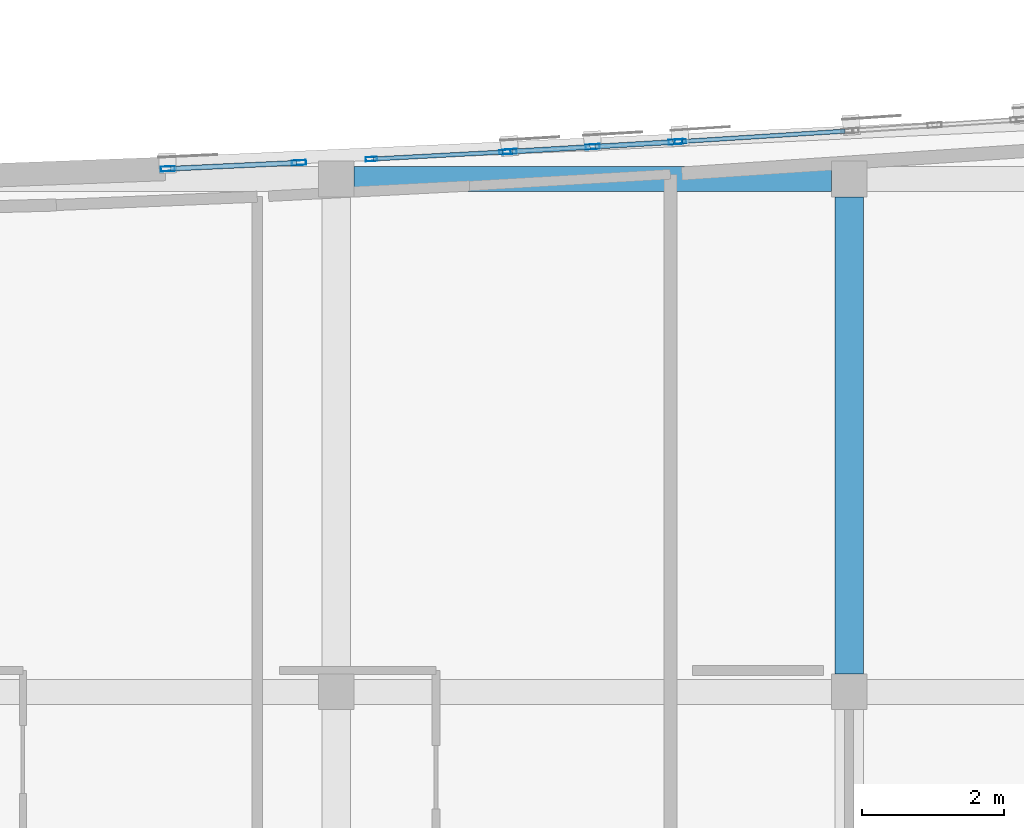
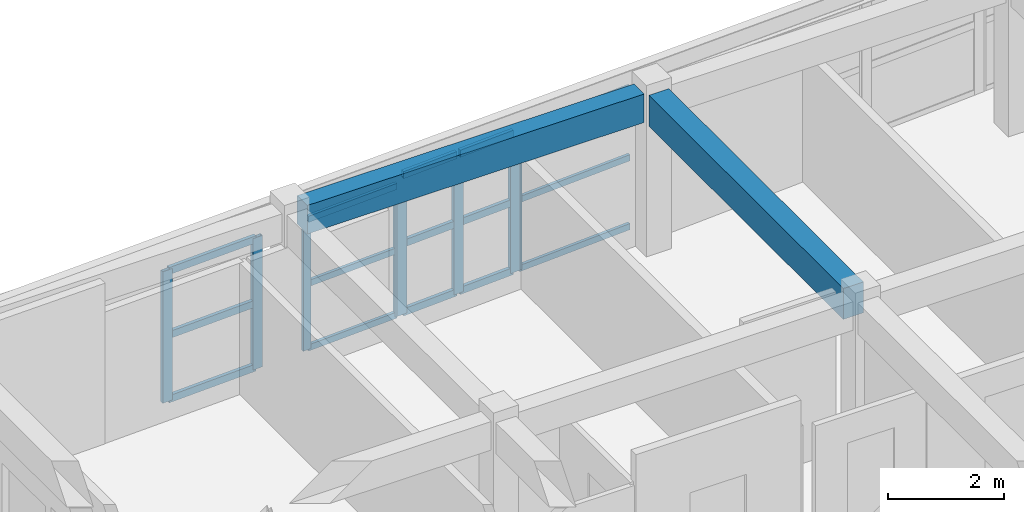
# One storey, part 5 of 34: 23 members, 2 beams, 4 elements without a shape of their own.
"""IFC4 building model written with IfcOpenShell, lengths in metres."""

import ifcopenshell
import ifcopenshell.guid

model = None  # the IFC model being written
_history = None  # IfcOwnerHistory: only IFC2X3 demands one
_inside = {}  # id of a spatial element -> (the spatial element, [elements in it])
_under = {}  # id of a project, library or spatial element -> (it, [spatial elements below it])
_declared = {}  # id of a project -> (the project, [libraries it declares])
_typed = {}  # id of a type object -> (the type object, [elements of that type])
_made_of = {}  # id of a material, layer set ... -> (it, [elements and type objects made of it])


def new_model(schema):
    """Start an empty IFC model of exactly this schema.

    Asked for "IFC4X3", IfcOpenShell would pick the latest addendum, in which some entities
    have other attributes; the version numbers below select the first issue.
    IFC2X3 requires an IfcOwnerHistory on every rooted entity: one is made here for all.
    """
    global model, _history
    if schema == "IFC4X3":
        model = ifcopenshell.file(schema_version=(4, 3, 0, 0))
    else:
        model = ifcopenshell.file(schema=schema)
    _inside.clear()
    _under.clear()
    _declared.clear()
    _typed.clear()
    _made_of.clear()
    _history = None
    if model.schema == "IFC2X3":
        org = make("IfcOrganization", Name="unknown")
        user = make(
            "IfcPersonAndOrganization",
            ThePerson=make("IfcPerson", FamilyName="unknown"),
            TheOrganization=org,
        )
        app = make(
            "IfcApplication",
            ApplicationDeveloper=org,
            Version="unknown",
            ApplicationFullName="unknown",
            ApplicationIdentifier="unknown",
        )
        _history = make(
            "IfcOwnerHistory",
            OwningUser=user,
            OwningApplication=app,
            ChangeAction="ADDED",
            CreationDate=0,
        )
    return model


def make(cls, **values):
    """One entity of the class cls with the attributes given. An attribute that is None is left unset."""
    return model.create_entity(
        cls, **{name: value for name, value in values.items() if value is not None}
    )


def rooted(cls, **values):
    """An entity with a GlobalId (a new one), such as an element, a storey or a relation."""
    return make(cls, GlobalId=ifcopenshell.guid.new(), OwnerHistory=_history, **values)


def si_unit(unit_type, name, prefix=None):
    """IfcSIUnit, for example si_unit("LENGTHUNIT", "METRE", prefix="MILLI")."""
    return make("IfcSIUnit", UnitType=unit_type, Prefix=prefix, Name=name)


def assignment(units):
    """IfcUnitAssignment: the units of a project."""
    return None if units is None else make("IfcUnitAssignment", Units=units)


def point(xyz):
    """IfcCartesianPoint."""
    return None if xyz is None else make("IfcCartesianPoint", Coordinates=xyz)


def direction(xyz):
    """IfcDirection."""
    return None if xyz is None else make("IfcDirection", DirectionRatios=xyz)


def frame(location, z_axis=None, x_axis=None):
    """IfcAxis2Placement3D, a coordinate frame: its origin and axes. An axis left out is left unset."""
    return make(
        "IfcAxis2Placement3D",
        Location=point(location),
        Axis=direction(z_axis),
        RefDirection=direction(x_axis),
    )


def frame_2d(location, x_axis=None):
    """IfcAxis2Placement2D, a coordinate frame in the plane: its origin and x axis."""
    return make(
        "IfcAxis2Placement2D", Location=point(location), RefDirection=direction(x_axis)
    )


def origin():
    """The frame at (0, 0, 0) with its axes left unset."""
    return frame((0.0, 0.0, 0.0))


def origin_2d():
    """The frame at (0, 0) in the plane with its x axis left unset."""
    return frame_2d((0.0, 0.0))


def place(relative_to, where):
    """IfcLocalPlacement: puts the frame where relative to a parent placement (None: the world)."""
    return make(
        "IfcLocalPlacement", PlacementRelTo=relative_to, RelativePlacement=where
    )


def context(
    kind, dimensions, precision=None, world=None, true_north=None, identifier=None
):
    """IfcGeometricRepresentationContext, for example the 3D "Model" context."""
    return make(
        "IfcGeometricRepresentationContext",
        ContextIdentifier=identifier,
        ContextType=kind,
        CoordinateSpaceDimension=dimensions,
        Precision=precision,
        WorldCoordinateSystem=world,
        TrueNorth=true_north,
    )


def subcontext(parent, identifier, kind, view, scale=None):
    """IfcGeometricRepresentationSubContext, for example "Body" below "Model"."""
    return make(
        "IfcGeometricRepresentationSubContext",
        ContextIdentifier=identifier,
        ContextType=kind,
        ParentContext=parent,
        TargetScale=scale,
        TargetView=view,
    )


def project(units=None, contexts=None):
    """IfcProject with its units and contexts."""
    return rooted(
        "IfcProject",
        Name="project",
        RepresentationContexts=contexts,
        UnitsInContext=assignment(units),
    )


def spatial(cls, under=None, at=None, **own):
    """A site, building, storey or space (cls), placed at a placement, below another one or the project."""
    s = rooted(cls, ObjectPlacement=at, **own)
    if under is not None:
        _under.setdefault(under.id(), (under, []))[1].append(s)
    return s


def profile(cls, at=None, kind="AREA", **sizes):
    """A parametric profile (cls). Its sizes go by their IFC names, for example OverallWidth=200.0."""
    return make(cls, ProfileType=kind, Position=at, **sizes)


def rectangle(**sizes):
    """IfcRectangleProfileDef."""
    return profile("IfcRectangleProfileDef", **sizes)


def hollow_rectangle(**sizes):
    """IfcRectangleHollowProfileDef."""
    return profile("IfcRectangleHollowProfileDef", **sizes)


def extrude(swept, where, along, depth):
    """IfcExtrudedAreaSolid: the profile swept, set in the frame where, extruded along a direction by depth."""
    return make(
        "IfcExtrudedAreaSolid",
        SweptArea=swept,
        Position=where,
        ExtrudedDirection=direction(along),
        Depth=depth,
    )


def shape(context_of_items, identifier, shape_type, items):
    """IfcShapeRepresentation: the items that make up one representation, for example the "Body"."""
    return make(
        "IfcShapeRepresentation",
        ContextOfItems=context_of_items,
        RepresentationIdentifier=identifier,
        RepresentationType=shape_type,
        Items=items,
    )


def material(Name=None, Category=None):
    """IfcMaterial."""
    return make("IfcMaterial", Name=Name, Category=Category)


def layer(
    of_material, thickness, ventilated=None, Name=None, Category=None, Priority=None
):
    """IfcMaterialLayer: one layer of a wall or slab, of a material (None: an air gap)."""
    return make(
        "IfcMaterialLayer",
        Material=of_material,
        LayerThickness=thickness,
        IsVentilated=ventilated,
        Name=Name,
        Category=Category,
        Priority=Priority,
    )


def layer_set(layers, Name=None):
    """IfcMaterialLayerSet."""
    return make("IfcMaterialLayerSet", MaterialLayers=layers, LayerSetName=Name)


def material_profile(
    of_material, cross_section, Name=None, Category=None, Priority=None
):
    """IfcMaterialProfile: a cross section and its material."""
    return make(
        "IfcMaterialProfile",
        Name=Name,
        Material=of_material,
        Profile=cross_section,
        Priority=Priority,
        Category=Category,
    )


def profile_set(profiles, Name=None, composite=None):
    """IfcMaterialProfileSet."""
    return make(
        "IfcMaterialProfileSet",
        Name=Name,
        MaterialProfiles=profiles,
        CompositeProfile=composite,
    )


def made_of(thing, what):
    """Note that an element or type object is made of a material, layer set ...; save() writes the relation."""
    if what is not None:
        _made_of.setdefault(what.id(), (what, []))[1].append(thing)
    return thing


def type_object(cls, material=None, **own):
    """A type object (cls), such as IfcWallType, which elements share."""
    return made_of(rooted(cls, **own), material)


def element(
    cls,
    number,
    at=None,
    inside=None,
    cuts=None,
    type_object=None,
    material=None,
    context=None,
    identifier="Body",
    shape_type=None,
    held_by="IfcProductDefinitionShape",
    body=None,
    shapes=None,
    **own,
):
    """One element of the class cls, such as IfcWall. Its Tag is "e" and its number.

    at: its placement. inside: the storey or other place that contains it. cuts: it is an
    opening in that element (IfcRelVoidsElement). A single representation is given by context,
    identifier, shape_type and body (its items); several are given by shapes. held_by: the class
    of the entity that holds the representations. save() writes the other relations.
    """
    e = rooted(cls, Tag="e%d" % number, ObjectPlacement=at, **own)
    if body is not None:
        shapes = [shape(context, identifier, shape_type, body)]
    if shapes is not None:
        e.Representation = make(held_by, Representations=shapes)
    if inside is not None:
        _inside.setdefault(inside.id(), (inside, []))[1].append(e)
    if cuts is not None:
        rooted(
            "IfcRelVoidsElement", RelatingBuildingElement=cuts, RelatedOpeningElement=e
        )
    if type_object is not None:
        _typed.setdefault(type_object.id(), (type_object, []))[1].append(e)
    return made_of(e, material)


def aggregate(whole, parts):
    """IfcRelAggregates: a whole, such as a stair, and the parts it consists of."""
    return rooted("IfcRelAggregates", RelatingObject=whole, RelatedObjects=parts)


def save(model, path):
    """Write the relations noted so far, then the file.

    IfcRelAggregates (storeys below a building ...), IfcRelContainedInSpatialStructure (elements
    in a storey), IfcRelDefinesByType, IfcRelAssociatesMaterial and IfcRelDeclares: one each for
    every whole, place, type object, material and project.
    """
    for whole, parts in _under.values():
        aggregate(whole, parts)
    for where, things in _inside.values():
        rooted(
            "IfcRelContainedInSpatialStructure",
            RelatedElements=things,
            RelatingStructure=where,
        )
    for kind, things in _typed.values():
        rooted("IfcRelDefinesByType", RelatedObjects=things, RelatingType=kind)
    for what, things in _made_of.values():
        rooted("IfcRelAssociatesMaterial", RelatedObjects=things, RelatingMaterial=what)
    for by, libraries in _declared.values():
        rooted("IfcRelDeclares", RelatingContext=by, RelatedDefinitions=libraries)
    model.write(path)


model = new_model("IFC4")

# Units and contexts
model_context = context("Model", 3, precision=1e-05, world=origin(), true_north=direction((0.0, 1.0)))
body_context = subcontext(model_context, "Body", "Model", "MODEL_VIEW")
ifc_project = project(units=[si_unit("LENGTHUNIT", "METRE"), si_unit("AREAUNIT", "SQUARE_METRE"), si_unit("VOLUMEUNIT", "CUBIC_METRE"), si_unit("PLANEANGLEUNIT", "RADIAN"), si_unit("MASSUNIT", "GRAM", prefix="KILO")], contexts=[model_context])

# Site, building, storey
site_placement = place(None, origin())
site = spatial("IfcSite", under=ifc_project, at=site_placement, CompositionType="ELEMENT")
building_placement = place(site_placement, origin())
building = spatial("IfcBuilding", under=site, at=building_placement, Name="Carrowvane Square Congress Hotel", CompositionType="ELEMENT")
storey_placement = place(building_placement, frame((0.0, 0.0, 40.800048828125)))
storey = spatial("IfcBuildingStorey", under=building, at=storey_placement, Name="L10", CompositionType="ELEMENT", Elevation=40.800048828125)

# Beams
ifc_material_1 = material(Name="Concrete C35/45", Category="concrete")
ifc_material_profile_1 = material_profile(ifc_material_1, rectangle(XDim=0.35009765625, YDim=0.60009765625, at=origin_2d()), Name="RC 350x600")
ifc_profile_set_1 = profile_set([ifc_material_profile_1], Name="Concrete C35/45")
beam_type_1 = type_object("IfcBeamType", Name="BM-RC-350x600", PredefinedType="BEAM", material=ifc_profile_set_1)
beam_1_placement = place(storey_placement, frame((40.64990234375, 113.39990234375, 3.079833984375), z_axis=(1.0, 0.0, 0.0), x_axis=(0.0, 1.0, 0.0)))
element("IfcBeam", 1, at=beam_1_placement, inside=storey, type_object=beam_type_1, Name="L11 girder R/5-6", PredefinedType="BEAM", context=body_context, shape_type="SweptSolid", body=[
    extrude(rectangle(XDim=0.35009765625, YDim=0.60009765625, at=origin_2d()), origin(), (0.0, 0.0, 1.0), 6.7001953125),
])
ifc_material_2 = material(Name="Concrete C35/45", Category="concrete")
ifc_material_profile_2 = material_profile(ifc_material_2, rectangle(XDim=0.39990234375, YDim=0.64990234375, at=origin_2d()), Name="RC 400x650")
ifc_profile_set_2 = profile_set([ifc_material_profile_2], Name="Concrete C35/45")
beam_type_2 = type_object("IfcBeamType", Name="BM-RC-400x650", PredefinedType="BEAM", material=ifc_profile_set_2)
beam_2_placement = place(storey_placement, frame((47.60009765625, 106.449951171875, 3.054931640625), z_axis=(0.0, 1.0, 0.0), x_axis=(-1.0, 0.0, 0.0)))
element("IfcBeam", 2, at=beam_2_placement, inside=storey, type_object=beam_type_2, Name="L11 girder 6/Q-R", PredefinedType="BEAM", context=body_context, shape_type="SweptSolid", body=[
    extrude(rectangle(XDim=0.39990234375, YDim=0.64990234375, at=origin_2d()), origin(), (0.0, 0.0, 1.0), 6.699951171875),
])

# Curtain wall, members
ifc_material_3 = material(Name="Anodised aluminium", Category="aluminium")
ifc_layer_1 = layer(ifc_material_3, 0.23388671875)
ifc_layer_set_1 = layer_set([ifc_layer_1], Name="Anodised aluminium")
curtain_wall_type_1 = type_object("IfcCurtainWallType", Name="CW-SYS-7", PredefinedType="NOTDEFINED", material=ifc_layer_set_1)
curtain_wall_1_placement = place(storey_placement, origin())
curtain_wall_1 = element("IfcCurtainWall", 3, at=curtain_wall_1_placement, inside=storey, type_object=curtain_wall_type_1, Name="L10 unitised curtain wall 550", PredefinedType="NOTDEFINED")
ifc_material_4 = material(Name="Anodised aluminium", Category="aluminium")
ifc_material_profile_3 = material_profile(ifc_material_4, hollow_rectangle(XDim=0.06005859375, YDim=0.159912109375, WallThickness=0.00390625, at=origin_2d()), Name="CW-ML 60x160x4")
ifc_profile_set_3 = profile_set([ifc_material_profile_3], Name="Anodised aluminium")
member_type_1 = type_object("IfcMemberType", Name="CW-MUL-1", PredefinedType="MULLION", material=ifc_profile_set_3)
member_1_placement = place(storey_placement, frame((40.893310546875, 113.67919921875, 0.0), z_axis=(0.0, 0.0, 1.0), x_axis=(-0.053513817306, 0.998567109091, 0.0)))
member_1 = element("IfcMember", 4, at=member_1_placement, type_object=member_type_1, Name="CW-7 mullion 1", PredefinedType="MULLION", context=body_context, shape_type="SweptSolid", body=[
    extrude(hollow_rectangle(XDim=0.06005859375, YDim=0.159912109375, WallThickness=0.00390625, at=origin_2d()), origin(), (0.0, 0.0, 1.0), 2.764892578125),
])
member_2_placement = place(storey_placement, frame((42.77001953125, 113.77978515625, 0.0), z_axis=(0.0, 0.0, 1.0), x_axis=(-0.053513817306, 0.998567109091, 0.0)))
member_2 = element("IfcMember", 5, at=member_2_placement, type_object=member_type_1, Name="CW-7 mullion 2", PredefinedType="MULLION", context=body_context, shape_type="SweptSolid", body=[
    extrude(hollow_rectangle(XDim=0.06005859375, YDim=0.159912109375, WallThickness=0.00390625, at=origin_2d()), origin(), (0.0, 0.0, 1.0), 2.764892578125),
])

# Curtain wall, member
ifc_material_5 = material(Name="Anodised aluminium", Category="aluminium")
ifc_layer_2 = layer(ifc_material_5, 0.162109375)
ifc_layer_set_2 = layer_set([ifc_layer_2], Name="Anodised aluminium")
curtain_wall_type_2 = type_object("IfcCurtainWallType", Name="CW-SYS-1", PredefinedType="NOTDEFINED", material=ifc_layer_set_2)
curtain_wall_2_placement = place(storey_placement, origin())
curtain_wall_2 = element("IfcCurtainWall", 6, at=curtain_wall_2_placement, inside=storey, type_object=curtain_wall_type_2, Name="L10 unitised curtain wall 552", PredefinedType="NOTDEFINED")
member_3_placement = place(storey_placement, frame((45.22998046875, 113.925048828125, 0.0), z_axis=(0.0, 0.0, 1.0), x_axis=(-0.063273487972, 0.997996225303, 0.0)))
member_3 = element("IfcMember", 7, at=member_3_placement, type_object=member_type_1, Name="CW-1 mullion 1", PredefinedType="MULLION", context=body_context, shape_type="SweptSolid", body=[
    extrude(hollow_rectangle(XDim=0.06005859375, YDim=0.159912109375, WallThickness=0.00390625, at=origin_2d()), origin(), (0.0, 0.0, 1.0), 2.95556640625),
])

# Curtain wall, members
ifc_material_6 = material(Name="Anodised aluminium", Category="aluminium")
ifc_layer_3 = layer(ifc_material_6, 0.221923828125)
ifc_layer_set_3 = layer_set([ifc_layer_3], Name="Anodised aluminium")
curtain_wall_type_3 = type_object("IfcCurtainWallType", Name="CW-SYS-6", PredefinedType="NOTDEFINED", material=ifc_layer_set_3)
curtain_wall_3_placement = place(storey_placement, origin())
curtain_wall_3 = element("IfcCurtainWall", 8, at=curtain_wall_3_placement, inside=storey, type_object=curtain_wall_type_3, Name="L10 unitised curtain wall 549", PredefinedType="NOTDEFINED")
ifc_material_7 = material(Name="Anodised aluminium", Category="aluminium")
ifc_material_profile_4 = material_profile(ifc_material_7, hollow_rectangle(XDim=0.070068359375, YDim=0.199951171875, WallThickness=0.0048828125, at=origin_2d()), Name="CW-ML 70x200x5")
ifc_profile_set_4 = profile_set([ifc_material_profile_4], Name="Anodised aluminium")
member_type_2 = type_object("IfcMemberType", Name="CW-MUL-2", PredefinedType="MULLION", material=ifc_profile_set_4)
member_4_placement = place(storey_placement, frame((38.034912109375, 113.54248046875, 0.0), z_axis=(0.0, 0.0, 1.0), x_axis=(-0.046522035775, 0.998917263935, 0.0)))
member_4 = element("IfcMember", 9, at=member_4_placement, type_object=member_type_2, Name="CW-6 mullion 1", PredefinedType="MULLION", context=body_context, shape_type="SweptSolid", body=[
    extrude(hollow_rectangle(XDim=0.070068359375, YDim=0.199951171875, WallThickness=0.0048828125, at=origin_2d()), origin(), (0.0, 0.0, 1.0), 2.764892578125),
])
member_5_placement = place(storey_placement, frame((39.87646484375, 113.62841796875, 0.0), z_axis=(0.0, 0.0, 1.0), x_axis=(-0.046522035775, 0.998917263935, 0.0)))
member_5 = element("IfcMember", 10, at=member_5_placement, type_object=member_type_2, Name="CW-6 mullion 2", PredefinedType="MULLION", context=body_context, shape_type="SweptSolid", body=[
    extrude(hollow_rectangle(XDim=0.070068359375, YDim=0.199951171875, WallThickness=0.0048828125, at=origin_2d()), origin(), (0.0, 0.0, 1.0), 2.764892578125),
])

ifc_material_8 = material(Name="Anodised aluminium", Category="aluminium")
ifc_layer_4 = layer(ifc_material_8, 0.24609375)
ifc_layer_set_4 = layer_set([ifc_layer_4], Name="Anodised aluminium")
curtain_wall_type_4 = type_object("IfcCurtainWallType", Name="CW-SYS-8", PredefinedType="NOTDEFINED", material=ifc_layer_set_4)
curtain_wall_4_placement = place(storey_placement, origin())
curtain_wall_4 = element("IfcCurtainWall", 11, at=curtain_wall_4_placement, inside=storey, type_object=curtain_wall_type_4, Name="L10 unitised curtain wall 551", PredefinedType="NOTDEFINED")
member_6_placement = place(storey_placement, frame((42.8349609375, 113.783447265625, 0.0), z_axis=(0.0, 0.0, 1.0), x_axis=(-0.058988522254, 0.99825866099, 0.0)))
member_6 = element("IfcMember", 12, at=member_6_placement, type_object=member_type_2, Name="CW-8 mullion 1", PredefinedType="MULLION", context=body_context, shape_type="SweptSolid", body=[
    extrude(hollow_rectangle(XDim=0.070068359375, YDim=0.199951171875, WallThickness=0.0048828125, at=origin_2d()), origin(), (0.0, 0.0, 1.0), 2.95556640625),
])
member_7_placement = place(storey_placement, frame((44.0, 113.852294921875, 0.0), z_axis=(0.0, 0.0, 1.0), x_axis=(-0.058988522254, 0.99825866099, 0.0)))
member_7 = element("IfcMember", 13, at=member_7_placement, type_object=member_type_2, Name="CW-8 mullion 2", PredefinedType="MULLION", context=body_context, shape_type="SweptSolid", body=[
    extrude(hollow_rectangle(XDim=0.070068359375, YDim=0.199951171875, WallThickness=0.0048828125, at=origin_2d()), origin(), (0.0, 0.0, 1.0), 2.95556640625),
])
member_8_placement = place(storey_placement, frame((45.1650390625, 113.921142578125, 0.0), z_axis=(0.0, 0.0, 1.0), x_axis=(-0.058988522254, 0.99825866099, 0.0)))
member_8 = element("IfcMember", 14, at=member_8_placement, type_object=member_type_2, Name="CW-8 mullion 3", PredefinedType="MULLION", context=body_context, shape_type="SweptSolid", body=[
    extrude(hollow_rectangle(XDim=0.070068359375, YDim=0.199951171875, WallThickness=0.0048828125, at=origin_2d()), origin(), (0.0, 0.0, 1.0), 2.95556640625),
])

# Member
ifc_material_9 = material(Name="Anodised aluminium", Category="aluminium")
ifc_material_profile_5 = material_profile(ifc_material_9, hollow_rectangle(XDim=0.06005859375, YDim=0.1298828125, WallThickness=0.00390625, at=origin_2d()), Name="CW-TR 60x130x4")
ifc_profile_set_5 = profile_set([ifc_material_profile_5], Name="Anodised aluminium")
member_type_3 = type_object("IfcMemberType", Name="CW-TRN-1", PredefinedType="USERDEFINED", material=ifc_profile_set_5)
member_9_placement = place(storey_placement, frame((40.923095703125, 113.6806640625, 0.030029296875), z_axis=(0.998565827462, 0.053537727111, 0.0), x_axis=(-0.053537727111, 0.998565827462, 0.0)))
member_9 = element("IfcMember", 15, at=member_9_placement, type_object=member_type_3, Name="CW-7 transom 1.1", ObjectType="TRANSOM", PredefinedType="USERDEFINED", context=body_context, shape_type="SweptSolid", body=[
    extrude(hollow_rectangle(XDim=0.06005859375, YDim=0.1298828125, WallThickness=0.00390625, at=origin_2d()), origin(), (0.0, 0.0, 1.0), 1.819580078125),
])

member_10_placement = place(storey_placement, frame((40.923095703125, 113.6806640625, 1.382568359375), z_axis=(0.998565827462, 0.053537727111, 0.0), x_axis=(-0.053537727111, 0.998565827462, 0.0)))
member_10 = element("IfcMember", 16, at=member_10_placement, type_object=member_type_3, Name="CW-7 transom 1.2", ObjectType="TRANSOM", PredefinedType="USERDEFINED", context=body_context, shape_type="SweptSolid", body=[
    extrude(hollow_rectangle(XDim=0.06005859375, YDim=0.1298828125, WallThickness=0.00390625, at=origin_2d()), origin(), (0.0, 0.0, 1.0), 1.819580078125),
])

member_11_placement = place(storey_placement, frame((40.923095703125, 113.6806640625, 2.73486328125), z_axis=(0.998565827462, 0.053537727111, 0.0), x_axis=(-0.053537727111, 0.998565827462, 0.0)))
member_11 = element("IfcMember", 17, at=member_11_placement, type_object=member_type_3, Name="CW-7 transom 1.3", ObjectType="TRANSOM", PredefinedType="USERDEFINED", context=body_context, shape_type="SweptSolid", body=[
    extrude(hollow_rectangle(XDim=0.06005859375, YDim=0.1298828125, WallThickness=0.00390625, at=origin_2d()), origin(), (0.0, 0.0, 1.0), 1.819580078125),
])

aggregate(curtain_wall_1, [member_1, member_2, member_9, member_10, member_11])

member_12_placement = place(storey_placement, frame((45.259765625, 113.927001953125, 0.030029296875), z_axis=(0.997997311039, 0.063256360614, 0.0), x_axis=(-0.063256360614, 0.997997311039, 0.0)))
member_12 = element("IfcMember", 18, at=member_12_placement, type_object=member_type_3, Name="CW-1 transom 1.1", ObjectType="TRANSOM", PredefinedType="USERDEFINED", context=body_context, shape_type="SweptSolid", body=[
    extrude(hollow_rectangle(XDim=0.06005859375, YDim=0.1298828125, WallThickness=0.00390625, at=origin_2d()), origin(), (0.0, 0.0, 1.0), 2.284912109375),
])

member_13_placement = place(storey_placement, frame((45.259765625, 113.927001953125, 1.477783203125), z_axis=(0.997997311039, 0.063256360614, 0.0), x_axis=(-0.063256360614, 0.997997311039, 0.0)))
member_13 = element("IfcMember", 19, at=member_13_placement, type_object=member_type_3, Name="CW-1 transom 1.2", ObjectType="TRANSOM", PredefinedType="USERDEFINED", context=body_context, shape_type="SweptSolid", body=[
    extrude(hollow_rectangle(XDim=0.06005859375, YDim=0.1298828125, WallThickness=0.00390625, at=origin_2d()), origin(), (0.0, 0.0, 1.0), 2.284912109375),
])

member_14_placement = place(storey_placement, frame((45.259765625, 113.927001953125, 2.925537109375), z_axis=(0.997997311039, 0.063256360614, 0.0), x_axis=(-0.063256360614, 0.997997311039, 0.0)))
member_14 = element("IfcMember", 20, at=member_14_placement, type_object=member_type_3, Name="CW-1 transom 1.3", ObjectType="TRANSOM", PredefinedType="USERDEFINED", context=body_context, shape_type="SweptSolid", body=[
    extrude(hollow_rectangle(XDim=0.06005859375, YDim=0.1298828125, WallThickness=0.00390625, at=origin_2d()), origin(), (0.0, 0.0, 1.0), 2.284912109375),
])

aggregate(curtain_wall_2, [member_3, member_12, member_13, member_14])

ifc_material_10 = material(Name="Anodised aluminium", Category="aluminium")
ifc_material_profile_6 = material_profile(ifc_material_10, hollow_rectangle(XDim=0.070068359375, YDim=0.14990234375, WallThickness=0.0048828125, at=origin_2d()), Name="CW-TR 70x150x5")
ifc_profile_set_6 = profile_set([ifc_material_profile_6], Name="Anodised aluminium")
member_type_4 = type_object("IfcMemberType", Name="CW-TRN-2", PredefinedType="USERDEFINED", material=ifc_profile_set_6)
member_15_placement = place(storey_placement, frame((38.06982421875, 113.544189453125, 0.034912109375), z_axis=(0.998917112664, 0.046525283737, 0.0), x_axis=(-0.046525283737, 0.998917112664, 0.0)))
member_15 = element("IfcMember", 21, at=member_15_placement, type_object=member_type_4, Name="CW-6 transom 1.1", ObjectType="TRANSOM", PredefinedType="USERDEFINED", context=body_context, shape_type="SweptSolid", body=[
    extrude(hollow_rectangle(XDim=0.070068359375, YDim=0.14990234375, WallThickness=0.0048828125, at=origin_2d()), origin(), (0.0, 0.0, 1.0), 1.773681640625),
])

member_16_placement = place(storey_placement, frame((38.06982421875, 113.544189453125, 1.382568359375), z_axis=(0.998917112664, 0.046525283737, 0.0), x_axis=(-0.046525283737, 0.998917112664, 0.0)))
member_16 = element("IfcMember", 22, at=member_16_placement, type_object=member_type_4, Name="CW-6 transom 1.2", ObjectType="TRANSOM", PredefinedType="USERDEFINED", context=body_context, shape_type="SweptSolid", body=[
    extrude(hollow_rectangle(XDim=0.070068359375, YDim=0.14990234375, WallThickness=0.0048828125, at=origin_2d()), origin(), (0.0, 0.0, 1.0), 1.773681640625),
])

member_17_placement = place(storey_placement, frame((38.06982421875, 113.544189453125, 2.72998046875), z_axis=(0.998917112664, 0.046525283737, 0.0), x_axis=(-0.046525283737, 0.998917112664, 0.0)))
member_17 = element("IfcMember", 23, at=member_17_placement, type_object=member_type_4, Name="CW-6 transom 1.3", ObjectType="TRANSOM", PredefinedType="USERDEFINED", context=body_context, shape_type="SweptSolid", body=[
    extrude(hollow_rectangle(XDim=0.070068359375, YDim=0.14990234375, WallThickness=0.0048828125, at=origin_2d()), origin(), (0.0, 0.0, 1.0), 1.773681640625),
])

aggregate(curtain_wall_3, [member_4, member_5, member_15, member_16, member_17])

member_18_placement = place(storey_placement, frame((42.869873046875, 113.785400390625, 0.034912109375), z_axis=(0.998259762999, 0.058969870084, 0.0), x_axis=(-0.058969870084, 0.998259762999, 0.0)))
member_18 = element("IfcMember", 24, at=member_18_placement, type_object=member_type_4, Name="CW-8 transom 1.1", ObjectType="TRANSOM", PredefinedType="USERDEFINED", context=body_context, shape_type="SweptSolid", body=[
    extrude(hollow_rectangle(XDim=0.070068359375, YDim=0.14990234375, WallThickness=0.0048828125, at=origin_2d()), origin(), (0.0, 0.0, 1.0), 1.09716796875),
])

member_19_placement = place(storey_placement, frame((42.869873046875, 113.785400390625, 1.477783203125), z_axis=(0.998259762999, 0.058969870084, 0.0), x_axis=(-0.058969870084, 0.998259762999, 0.0)))
member_19 = element("IfcMember", 25, at=member_19_placement, type_object=member_type_4, Name="CW-8 transom 1.2", ObjectType="TRANSOM", PredefinedType="USERDEFINED", context=body_context, shape_type="SweptSolid", body=[
    extrude(hollow_rectangle(XDim=0.070068359375, YDim=0.14990234375, WallThickness=0.0048828125, at=origin_2d()), origin(), (0.0, 0.0, 1.0), 1.09716796875),
])

member_20_placement = place(storey_placement, frame((42.869873046875, 113.785400390625, 2.920654296875), z_axis=(0.998259762999, 0.058969870084, 0.0), x_axis=(-0.058969870084, 0.998259762999, 0.0)))
member_20 = element("IfcMember", 26, at=member_20_placement, type_object=member_type_4, Name="CW-8 transom 1.3", ObjectType="TRANSOM", PredefinedType="USERDEFINED", context=body_context, shape_type="SweptSolid", body=[
    extrude(hollow_rectangle(XDim=0.070068359375, YDim=0.14990234375, WallThickness=0.0048828125, at=origin_2d()), origin(), (0.0, 0.0, 1.0), 1.09716796875),
])

member_21_placement = place(storey_placement, frame((44.034912109375, 113.854248046875, 0.034912109375), z_axis=(0.998259762999, 0.058969870084, 0.0), x_axis=(-0.058969870084, 0.998259762999, 0.0)))
member_21 = element("IfcMember", 27, at=member_21_placement, type_object=member_type_4, Name="CW-8 transom 2.1", ObjectType="TRANSOM", PredefinedType="USERDEFINED", context=body_context, shape_type="SweptSolid", body=[
    extrude(hollow_rectangle(XDim=0.070068359375, YDim=0.14990234375, WallThickness=0.0048828125, at=origin_2d()), origin(), (0.0, 0.0, 1.0), 1.09716796875),
])

member_22_placement = place(storey_placement, frame((44.034912109375, 113.854248046875, 1.477783203125), z_axis=(0.998259762999, 0.058969870084, 0.0), x_axis=(-0.058969870084, 0.998259762999, 0.0)))
member_22 = element("IfcMember", 28, at=member_22_placement, type_object=member_type_4, Name="CW-8 transom 2.2", ObjectType="TRANSOM", PredefinedType="USERDEFINED", context=body_context, shape_type="SweptSolid", body=[
    extrude(hollow_rectangle(XDim=0.070068359375, YDim=0.14990234375, WallThickness=0.0048828125, at=origin_2d()), origin(), (0.0, 0.0, 1.0), 1.09716796875),
])

member_23_placement = place(storey_placement, frame((44.034912109375, 113.854248046875, 2.920654296875), z_axis=(0.998259762999, 0.058969870084, 0.0), x_axis=(-0.058969870084, 0.998259762999, 0.0)))
member_23 = element("IfcMember", 29, at=member_23_placement, type_object=member_type_4, Name="CW-8 transom 2.3", ObjectType="TRANSOM", PredefinedType="USERDEFINED", context=body_context, shape_type="SweptSolid", body=[
    extrude(hollow_rectangle(XDim=0.070068359375, YDim=0.14990234375, WallThickness=0.0048828125, at=origin_2d()), origin(), (0.0, 0.0, 1.0), 1.09716796875),
])

aggregate(curtain_wall_4, [member_6, member_7, member_8, member_18, member_19, member_20, member_21, member_22, member_23])

save(model, "model.ifc")
